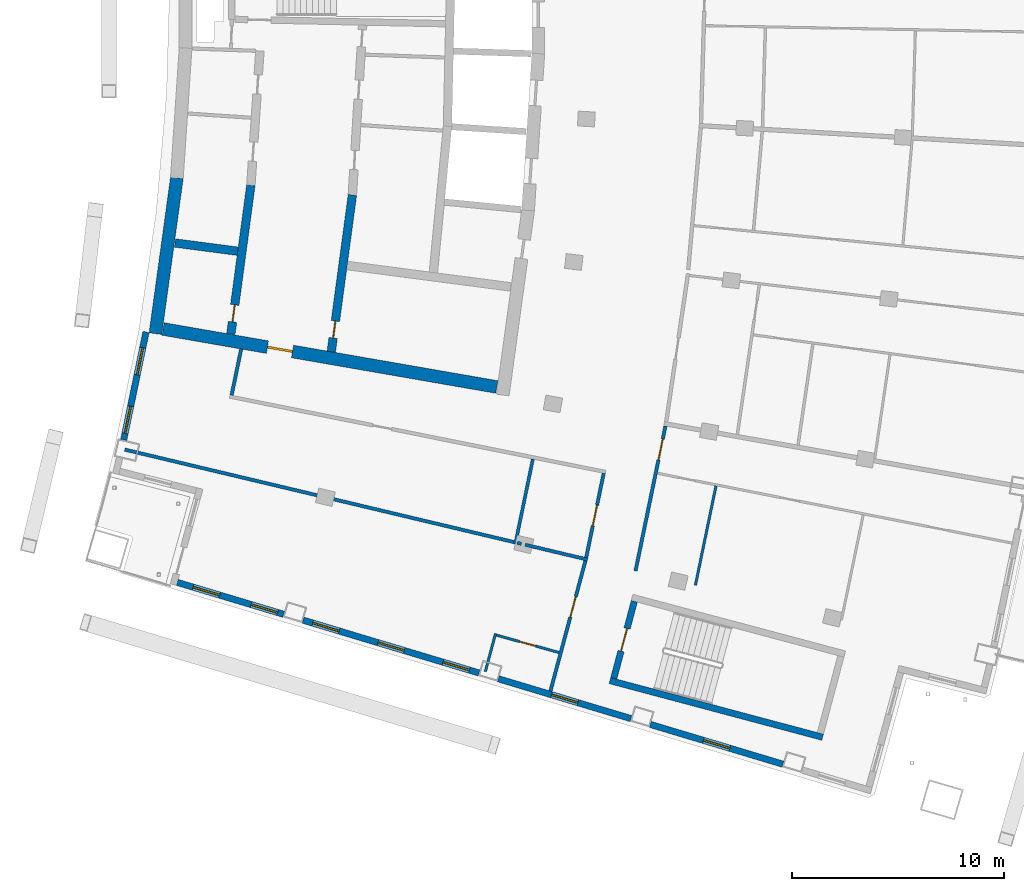
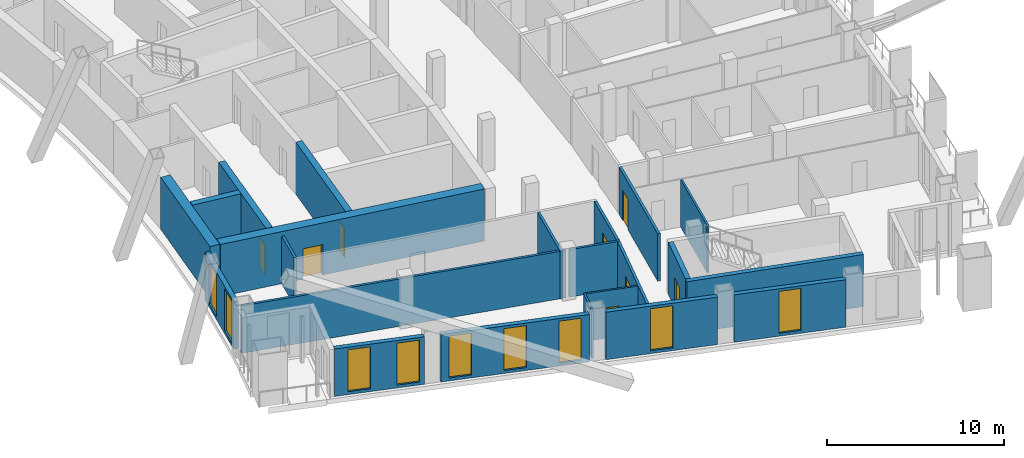
# One storey, part 9 of 19: 23 walls, 9 windows, 8 doors, 17 openings.
"""IFC4 building model written with IfcOpenShell, lengths in metres."""

from ifc_helpers import new_model, si_unit, direction, frame, frame_2d, origin, place, context, subcontext, project, spatial, rectangle, extrude, material, layer, layer_set, type_object, element, fill, save


model = new_model("IFC4")

# Units and contexts
model_context = context("Model", 3, precision=1e-05, world=origin(), true_north=direction((0.0, 1.0)))
body_context = subcontext(model_context, "Body", "Model", "MODEL_VIEW")
ifc_project = project(units=[si_unit("LENGTHUNIT", "METRE"), si_unit("AREAUNIT", "SQUARE_METRE"), si_unit("VOLUMEUNIT", "CUBIC_METRE"), si_unit("PLANEANGLEUNIT", "RADIAN"), si_unit("MASSUNIT", "GRAM", prefix="KILO")], contexts=[model_context])

# Site, building, storey
site_placement = place(None, origin())
site = spatial("IfcSite", under=ifc_project, at=site_placement, CompositionType="ELEMENT")
building_placement = place(site_placement, origin())
building = spatial("IfcBuilding", under=site, at=building_placement, Name="Alderwake Tower", CompositionType="ELEMENT")
storey_placement = place(building_placement, frame((0.0, 0.0, 200.0)))
storey = spatial("IfcBuildingStorey", under=building, at=storey_placement, Name="L49", CompositionType="ELEMENT", Elevation=200.0)

# Wall
ifc_material_1 = material(Name="Concrete C70/85", Category="concrete")
ifc_layer_1 = layer(ifc_material_1, 0.60009765625)
ifc_layer_set_1 = layer_set([ifc_layer_1], Name="Core wall outer 600 C70-85")
wall_type_1 = type_object("IfcWallType", Name="Core wall outer 600 C70-85", PredefinedType="SHEAR", material=ifc_layer_set_1)
wall_1_placement = place(storey_placement, frame((15.321533203125, 44.146240234375, 0.0), z_axis=(0.0, 0.0, 1.0), x_axis=(0.136316498814, 0.990665338119, 0.0)))
element("IfcWall", 1, at=wall_1_placement, inside=storey, type_object=wall_type_1, Name="Core wall CW.037", PredefinedType="SHEAR", context=body_context, shape_type="SweptSolid", body=[
    extrude(rectangle(XDim=7.41455078125, YDim=0.60009765625, at=frame_2d((3.707275390625, 0.0))), origin(), (0.0, 0.0, 1.0), 3.60009765625),
])

# Wall, opening, door
wall_2_placement = place(storey_placement, frame((31.386962890625, 41.63525390625, 0.0), z_axis=(0.0, 0.0, 1.0), x_axis=(-0.985223108003, 0.171275881127, 0.0)))
wall_2 = element("IfcWall", 2, at=wall_2_placement, inside=storey, type_object=wall_type_1, Name="Core wall CW.072", PredefinedType="SHEAR", context=body_context, shape_type="SweptSolid", body=[
    extrude(rectangle(XDim=15.937744140625, YDim=0.60009765625, at=frame_2d((7.96875, 0.0))), origin(), (0.0, 0.0, 1.0), 3.60009765625),
])
opening_1_placement = place(wall_2_placement, frame((9.757568359375, 0.0, 0.0)))
opening_1 = element("IfcOpeningElement", 3, at=opening_1_placement, cuts=wall_2, Name="Opening C003", PredefinedType="OPENING", context=body_context, shape_type="SweptSolid", body=[
    extrude(rectangle(XDim=1.199951171875, YDim=2.10009765625, at=frame_2d((0.60009765625, 1.050048828125))), frame((0.0, 0.31005859375, 0.0), z_axis=(0.0, -1.0, 0.0), x_axis=(1.0, 0.0, 0.0)), (0.0, 0.0, 1.0), 0.6201171875),
])
ifc_material_2 = material(Name="Steel-framed fire door leaf", Category="steel")
door_type_1 = type_object("IfcDoorType", Name="Core lobby exit door 1200 fire-rated", OperationType="SINGLE_SWING_LEFT", PredefinedType="DOOR", material=ifc_material_2)
door_1_placement = place(opening_1_placement, origin())
door_1 = element("IfcDoor", 4, at=door_1_placement, inside=storey, type_object=door_type_1, Name="Lobby door", OperationType="SINGLE_SWING_LEFT", OverallHeight=2.10009765625, OverallWidth=1.199951171875, PredefinedType="DOOR", context=body_context, shape_type="SweptSolid", body=[
    extrude(rectangle(XDim=1.199951171875, YDim=2.10009765625, at=frame_2d((0.60009765625, 1.050048828125))), frame((0.0, 0.050048828125, 0.0), z_axis=(0.0, -1.0, 0.0), x_axis=(1.0, 0.0, 0.0)), (0.0, 0.0, 1.0), 0.10009765625),
])
fill(opening_1, door_1)

ifc_material_3 = material(Name="Concrete C70/85", Category="concrete")
ifc_layer_2 = layer(ifc_material_3, 0.39990234375)
ifc_layer_set_2 = layer_set([ifc_layer_2], Name="Core wall spine 400 C70-85")
wall_type_2 = type_object("IfcWallType", Name="Core wall spine 400 C70-85", PredefinedType="SHEAR", material=ifc_layer_set_2)
wall_3_placement = place(storey_placement, frame((19.814697265625, 51.143798828125, 0.0), z_axis=(0.0, 0.0, 1.0), x_axis=(-0.133333838703, -0.991071181831, 0.0)))
wall_3 = element("IfcWall", 5, at=wall_3_placement, inside=storey, type_object=wall_type_2, Name="Core wall CW.033", PredefinedType="SHEAR", context=body_context, shape_type="SweptSolid", body=[
    extrude(rectangle(XDim=7.078857421875, YDim=0.39990234375, at=frame_2d((3.53955078125, 0.0))), origin(), (0.0, 0.0, 1.0), 3.60009765625),
])
opening_2_placement = place(wall_3_placement, frame((5.69677734375, 0.0, 0.0)))
opening_2 = element("IfcOpeningElement", 6, at=opening_2_placement, cuts=wall_3, Name="Opening C007", PredefinedType="OPENING", context=body_context, shape_type="SweptSolid", body=[
    extrude(rectangle(XDim=0.800048828125, YDim=2.0, at=frame_2d((0.39990234375, 1.0))), frame((0.0, 0.2099609375, 0.0), z_axis=(0.0, -1.0, 0.0), x_axis=(1.0, 0.0, 0.0)), (0.0, 0.0, 1.0), 0.419921875),
])
ifc_material_4 = material(Name="Painted steel leaf, rated", Category="steel")
door_type_2 = type_object("IfcDoorType", Name="Riser access door 800", OperationType="SINGLE_SWING_LEFT", PredefinedType="DOOR", material=ifc_material_4)
door_2_placement = place(opening_2_placement, origin())
door_2 = element("IfcDoor", 7, at=door_2_placement, inside=storey, type_object=door_type_2, Name="Riser access door", OperationType="SINGLE_SWING_LEFT", OverallHeight=2.0, OverallWidth=0.800048828125, PredefinedType="DOOR", context=body_context, shape_type="SweptSolid", body=[
    extrude(rectangle(XDim=0.800048828125, YDim=2.0, at=frame_2d((0.39990234375, 1.0))), frame((0.0, 0.02490234375, 0.0), z_axis=(0.0, -1.0, 0.0), x_axis=(1.0, 0.0, 0.0)), (0.0, 0.0, 1.0), 0.050048828125),
])
fill(opening_2, door_2)

wall_4_placement = place(storey_placement, frame((23.597412109375, 43.29248046875, 0.0), z_axis=(0.0, 0.0, 1.0), x_axis=(0.133499326361, 0.99104890387, 0.0)))
wall_4 = element("IfcWall", 8, at=wall_4_placement, inside=storey, type_object=wall_type_2, Name="Core wall CW.047", PredefinedType="SHEAR", context=body_context, shape_type="SweptSolid", body=[
    extrude(rectangle(XDim=7.44677734375, YDim=0.39990234375, at=frame_2d((3.723388671875, 0.0))), origin(), (0.0, 0.0, 1.0), 3.60009765625),
])
opening_3_placement = place(wall_4_placement, frame((0.65771484375, 0.0, 0.0)))
opening_3 = element("IfcOpeningElement", 9, at=opening_3_placement, cuts=wall_4, Name="Opening C014", PredefinedType="OPENING", context=body_context, shape_type="SweptSolid", body=[
    extrude(rectangle(XDim=0.800048828125, YDim=2.0, at=frame_2d((0.39990234375, 1.0))), frame((0.0, 0.2099609375, 0.0), z_axis=(0.0, -1.0, 0.0), x_axis=(1.0, 0.0, 0.0)), (0.0, 0.0, 1.0), 0.419921875),
])
door_3_placement = place(opening_3_placement, origin())
door_3 = element("IfcDoor", 10, at=door_3_placement, inside=storey, type_object=door_type_2, Name="Riser access door", OperationType="SINGLE_SWING_RIGHT", OverallHeight=2.0, OverallWidth=0.800048828125, PredefinedType="DOOR", context=body_context, shape_type="SweptSolid", body=[
    extrude(rectangle(XDim=0.800048828125, YDim=2.0, at=frame_2d((0.39990234375, 1.0))), frame((0.0, 0.02490234375, 0.0), z_axis=(0.0, -1.0, 0.0), x_axis=(1.0, 0.0, 0.0)), (0.0, 0.0, 1.0), 0.050048828125),
])
fill(opening_3, door_3)

# Walls
wall_5_placement = place(storey_placement, frame((16.24169921875, 48.412353515625, 0.0), z_axis=(0.0, 0.0, 1.0), x_axis=(0.991548658387, -0.129735338481, 0.0)))
element("IfcWall", 11, at=wall_5_placement, inside=storey, type_object=wall_type_2, Name="Core wall CW.067", PredefinedType="SHEAR", context=body_context, shape_type="SweptSolid", body=[
    extrude(rectangle(XDim=2.97705078125, YDim=0.39990234375, at=frame_2d((1.488525390625, 0.0))), origin(), (0.0, 0.0, 1.0), 3.60009765625),
])
ifc_material_5 = material(Name="Concrete C70/85", Category="concrete")
ifc_layer_3 = layer(ifc_material_5, 0.300048828125)
ifc_layer_set_3 = layer_set([ifc_layer_3], Name="Core wall stair enclosure 300 C70-85")
wall_type_3 = type_object("IfcWallType", Name="Core wall stair enclosure 300 C70-85", PredefinedType="SHEAR", material=ifc_layer_set_3)
wall_6_placement = place(storey_placement, frame((36.71142578125, 27.817626953125, 0.0), z_axis=(0.0, 0.0, 1.0), x_axis=(0.966309214305, -0.257383958996, 0.0)))
element("IfcWall", 12, at=wall_6_placement, inside=storey, type_object=wall_type_3, Name="Core wall CW.088", PredefinedType="SHEAR", context=body_context, shape_type="SweptSolid", body=[
    extrude(rectangle(XDim=10.360107421875, YDim=0.300048828125, at=frame_2d((5.18017578125, 0.0))), origin(), (0.0, 0.0, 1.0), 3.60009765625),
])

# Wall, opening, door
wall_7_placement = place(storey_placement, frame((36.89501953125, 27.923828125, 0.0), z_axis=(0.0, 0.0, 1.0), x_axis=(0.257350630826, 0.966318090907, 0.0)))
wall_7 = element("IfcWall", 13, at=wall_7_placement, inside=storey, type_object=wall_type_3, Name="Core wall CW.087", PredefinedType="SHEAR", context=body_context, shape_type="SweptSolid", body=[
    extrude(rectangle(XDim=3.75, YDim=0.300048828125, at=frame_2d((1.875, 0.0))), origin(), (0.0, 0.0, 1.0), 3.60009765625),
])
opening_4_placement = place(wall_7_placement, frame((1.324951171875, 0.0, 0.0)))
opening_4 = element("IfcOpeningElement", 14, at=opening_4_placement, cuts=wall_7, Name="Opening C065", PredefinedType="OPENING", context=body_context, shape_type="SweptSolid", body=[
    extrude(rectangle(XDim=1.10009765625, YDim=2.10009765625, at=frame_2d((0.550048828125, 1.050048828125))), frame((0.0, 0.159912109375, 0.0), z_axis=(0.0, -1.0, 0.0), x_axis=(1.0, 0.0, 0.0)), (0.0, 0.0, 1.0), 0.320068359375),
])
ifc_material_6 = material(Name="Steel-framed fire door leaf", Category="steel")
door_type_3 = type_object("IfcDoorType", Name="Core stair door 1100 fire-rated", OperationType="SINGLE_SWING_LEFT", PredefinedType="DOOR", material=ifc_material_6)
door_4_placement = place(opening_4_placement, origin())
door_4 = element("IfcDoor", 15, at=door_4_placement, inside=storey, type_object=door_type_3, Name="Stair door", OperationType="SINGLE_SWING_LEFT", OverallHeight=2.10009765625, OverallWidth=1.10009765625, PredefinedType="DOOR", context=body_context, shape_type="SweptSolid", body=[
    extrude(rectangle(XDim=1.10009765625, YDim=2.10009765625, at=frame_2d((0.550048828125, 1.050048828125))), frame((0.0, 0.02490234375, 0.0), z_axis=(0.0, -1.0, 0.0), x_axis=(1.0, 0.0, 0.0)), (0.0, 0.0, 1.0), 0.050048828125),
])
fill(opening_4, door_4)

# Walls
ifc_material_7 = material(Name="Gypsum board on metal studs, rated")
ifc_layer_4 = layer(ifc_material_7, 0.159912109375)
ifc_layer_set_4 = layer_set([ifc_layer_4], Name="Corridor wall 160")
wall_type_4 = type_object("IfcWallType", Name="Corridor wall 160", PredefinedType="PARTITIONING", material=ifc_layer_set_4)
wall_8_placement = place(storey_placement, frame((13.884033203125, 38.68798828125, 0.0), z_axis=(0.0, 0.0, 1.0), x_axis=(0.972897690171, -0.231235993004, 0.0)))
element("IfcWall", 16, at=wall_8_placement, inside=storey, type_object=wall_type_4, Name="WL/L49/W08", PredefinedType="PARTITIONING", context=body_context, shape_type="SweptSolid", body=[
    extrude(rectangle(XDim=18.8271484375, YDim=0.159912109375, at=frame_2d((9.41357421875, 0.0))), origin(), (0.0, 0.0, 1.0), 3.280029296875),
])
wall_9_placement = place(storey_placement, frame((19.35888671875, 43.430908203125, 0.0), z_axis=(0.0, 0.0, 1.0), x_axis=(-0.202554916658, -0.979270905183, 0.0)))
element("IfcWall", 17, at=wall_9_placement, inside=storey, type_object=wall_type_4, Name="WL/L49/W11", PredefinedType="PARTITIONING", context=body_context, shape_type="SweptSolid", body=[
    extrude(rectangle(XDim=2.229736328125, YDim=0.159912109375, at=frame_2d((1.11474609375, 0.0))), origin(), (0.0, 0.0, 1.0), 3.280029296875),
])
wall_10_placement = place(storey_placement, frame((32.343994140625, 34.300048828125, 0.0), z_axis=(0.0, 0.0, 1.0), x_axis=(0.974391195695, -0.224859506699, 0.0)))
element("IfcWall", 18, at=wall_10_placement, inside=storey, type_object=wall_type_4, Name="WL/L49/W13", PredefinedType="PARTITIONING", context=body_context, shape_type="SweptSolid", body=[
    extrude(rectangle(XDim=0.205322265625, YDim=0.159912109375, at=frame_2d((0.1025390625, 0.0))), origin(), (0.0, 0.0, 1.0), 3.280029296875),
])
wall_11_placement = place(storey_placement, frame((32.725341796875, 34.210205078125, 0.0), z_axis=(0.0, 0.0, 1.0), x_axis=(0.972838360224, -0.231485474442, 0.0)))
element("IfcWall", 19, at=wall_11_placement, inside=storey, type_object=wall_type_4, Name="WL/L49/W14", PredefinedType="PARTITIONING", context=body_context, shape_type="SweptSolid", body=[
    extrude(rectangle(XDim=3.01416015625, YDim=0.159912109375, at=frame_2d((1.507080078125, 0.0))), origin(), (0.0, 0.0, 1.0), 3.280029296875),
])

# Wall, opening, door
wall_12_placement = place(storey_placement, frame((33.912109375, 27.321044921875, 0.0), z_axis=(0.0, 0.0, 1.0), x_axis=(0.259370874835, 0.965777794986, 0.0)))
wall_12 = element("IfcWall", 20, at=wall_12_placement, inside=storey, type_object=wall_type_4, Name="WL/L49/W16", PredefinedType="PARTITIONING", context=body_context, shape_type="SweptSolid", body=[
    extrude(rectangle(XDim=6.349853515625, YDim=0.159912109375, at=frame_2d((3.1748046875, 0.0))), origin(), (0.0, 0.0, 1.0), 3.280029296875),
])
opening_5_placement = place(wall_12_placement, frame((3.603515625, 0.0, 0.0)))
opening_5 = element("IfcOpeningElement", 21, at=opening_5_placement, cuts=wall_12, Name="Opening R14-U09.1", PredefinedType="OPENING", context=body_context, shape_type="SweptSolid", body=[
    extrude(rectangle(XDim=1.0, YDim=2.10009765625, at=frame_2d((0.5, 1.050048828125))), frame((0.0, 0.08984375, 0.0), z_axis=(0.0, -1.0, 0.0), x_axis=(1.0, 0.0, 0.0)), (0.0, 0.0, 1.0), 0.179931640625),
])
ifc_material_8 = material(Name="Solid timber leaf in steel frame", Category="steel")
door_type_4 = type_object("IfcDoorType", Name="Flat entrance door 1000 fire-rated", OperationType="SINGLE_SWING_LEFT", PredefinedType="DOOR", material=ifc_material_8)
door_5_placement = place(opening_5_placement, origin())
door_5 = element("IfcDoor", 22, at=door_5_placement, inside=storey, type_object=door_type_4, Name="DR/L49/U09.1", OperationType="SINGLE_SWING_LEFT", OverallHeight=2.10009765625, OverallWidth=1.0, PredefinedType="DOOR", context=body_context, shape_type="SweptSolid", body=[
    extrude(rectangle(XDim=1.0, YDim=2.10009765625, at=frame_2d((0.5, 1.050048828125))), frame((0.0, 0.02490234375, 0.0), z_axis=(0.0, -1.0, 0.0), x_axis=(1.0, 0.0, 0.0)), (0.0, 0.0, 1.0), 0.050048828125),
])
fill(opening_5, door_5)

wall_13_placement = place(storey_placement, frame((35.59619140625, 33.609375, 0.0), z_axis=(0.0, 0.0, 1.0), x_axis=(0.203245920818, 0.979127721838, 0.0)))
wall_13 = element("IfcWall", 23, at=wall_13_placement, inside=storey, type_object=wall_type_4, Name="WL/L49/W18", PredefinedType="PARTITIONING", context=body_context, shape_type="SweptSolid", body=[
    extrude(rectangle(XDim=4.046875, YDim=0.159912109375, at=frame_2d((2.0234375, 0.0))), origin(), (0.0, 0.0, 1.0), 3.280029296875),
])
opening_6_placement = place(wall_13_placement, frame((1.5234375, 0.0, 0.0)))
opening_6 = element("IfcOpeningElement", 24, at=opening_6_placement, cuts=wall_13, Name="Opening R14-SBS2", PredefinedType="OPENING", context=body_context, shape_type="SweptSolid", body=[
    extrude(rectangle(XDim=1.0, YDim=2.10009765625, at=frame_2d((0.5, 1.050048828125))), frame((0.0, 0.08984375, 0.0), z_axis=(0.0, -1.0, 0.0), x_axis=(1.0, 0.0, 0.0)), (0.0, 0.0, 1.0), 0.179931640625),
])
ifc_material_9 = material(Name="Steel-framed fire door leaf", Category="steel")
door_type_5 = type_object("IfcDoorType", Name="Plant room door 1000 fire-rated", OperationType="SINGLE_SWING_LEFT", PredefinedType="DOOR", material=ifc_material_9)
door_6_placement = place(opening_6_placement, origin())
door_6 = element("IfcDoor", 25, at=door_6_placement, inside=storey, type_object=door_type_5, Name="DR/L49/SBS2", OperationType="SINGLE_SWING_LEFT", OverallHeight=2.10009765625, OverallWidth=1.0, PredefinedType="DOOR", context=body_context, shape_type="SweptSolid", body=[
    extrude(rectangle(XDim=1.0, YDim=2.10009765625, at=frame_2d((0.5, 1.050048828125))), frame((0.0, 0.02490234375, 0.0), z_axis=(0.0, -1.0, 0.0), x_axis=(1.0, 0.0, 0.0)), (0.0, 0.0, 1.0), 0.050048828125),
])
fill(opening_6, door_6)

wall_14_placement = place(storey_placement, frame((39.32763671875, 39.799072265625, 0.0), z_axis=(0.0, 0.0, 1.0), x_axis=(-0.202466556983, -0.979289177569, 0.0)))
wall_14 = element("IfcWall", 26, at=wall_14_placement, inside=storey, type_object=wall_type_4, Name="WL/L49/W20", PredefinedType="PARTITIONING", context=body_context, shape_type="SweptSolid", body=[
    extrude(rectangle(XDim=6.96728515625, YDim=0.159912109375, at=frame_2d((3.483642578125, 0.0))), origin(), (0.0, 0.0, 1.0), 3.280029296875),
])
opening_7_placement = place(wall_14_placement, frame((0.62744140625, 0.0, 0.0)))
opening_7 = element("IfcOpeningElement", 27, at=opening_7_placement, cuts=wall_14, Name="Opening R14-U03.2", PredefinedType="OPENING", context=body_context, shape_type="SweptSolid", body=[
    extrude(rectangle(XDim=1.0, YDim=2.10009765625, at=frame_2d((0.5, 1.050048828125))), frame((0.0, 0.08984375, 0.0), z_axis=(0.0, -1.0, 0.0), x_axis=(1.0, 0.0, 0.0)), (0.0, 0.0, 1.0), 0.179931640625),
])
door_7_placement = place(opening_7_placement, origin())
door_7 = element("IfcDoor", 28, at=door_7_placement, inside=storey, type_object=door_type_4, Name="DR/L49/U03.2", OperationType="SINGLE_SWING_LEFT", OverallHeight=2.10009765625, OverallWidth=1.0, PredefinedType="DOOR", context=body_context, shape_type="SweptSolid", body=[
    extrude(rectangle(XDim=1.0, YDim=2.10009765625, at=frame_2d((0.5, 1.050048828125))), frame((0.0, 0.02490234375, 0.0), z_axis=(0.0, -1.0, 0.0), x_axis=(1.0, 0.0, 0.0)), (0.0, 0.0, 1.0), 0.050048828125),
])
fill(opening_7, door_7)

# Wall, openings, windows
ifc_material_10 = material(Name="Precast concrete C50/60 spandrel panel", Category="concrete")
ifc_layer_5 = layer(ifc_material_10, 0.300048828125)
ifc_layer_set_5 = layer_set([ifc_layer_5], Name="External wall EW1 Precast concrete C50/60 spandrel")
wall_type_5 = type_object("IfcWallType", Name="External wall EW1 Precast concrete C50/60 spandrel", PredefinedType="SOLIDWALL", material=ifc_layer_set_5)
wall_15_placement = place(storey_placement, frame((14.878173828125, 44.223388671875, 0.0), z_axis=(0.0, 0.0, 1.0), x_axis=(-0.202730149235, -0.979234643276, 0.0)))
wall_15 = element("IfcWall", 29, at=wall_15_placement, inside=storey, type_object=wall_type_5, Name="External wall 32", PredefinedType="SOLIDWALL", context=body_context, shape_type="SweptSolid", body=[
    extrude(rectangle(XDim=5.185546875, YDim=0.300048828125, at=frame_2d((2.5927734375, 0.0))), origin(), (0.0, 0.0, 1.0), 3.280029296875),
])
opening_8_placement = place(wall_15_placement, frame((0.75634765625, 0.0, 0.199951171875)))
opening_8 = element("IfcOpeningElement", 30, at=opening_8_placement, cuts=wall_15, Name="Opening W1", PredefinedType="OPENING", context=body_context, shape_type="SweptSolid", body=[
    extrude(rectangle(XDim=1.300048828125, YDim=2.89990234375, at=frame_2d((0.64990234375, 1.449951171875))), frame((0.0, 0.159912109375, 0.0), z_axis=(0.0, -1.0, 0.0), x_axis=(1.0, 0.0, 0.0)), (0.0, 0.0, 1.0), 0.320068359375),
])
opening_9_placement = place(wall_15_placement, frame((3.569091796875, 0.0, 0.199951171875)))
opening_9 = element("IfcOpeningElement", 31, at=opening_9_placement, cuts=wall_15, Name="Opening W1", PredefinedType="OPENING", context=body_context, shape_type="SweptSolid", body=[
    extrude(rectangle(XDim=1.300048828125, YDim=2.89990234375, at=frame_2d((0.64990234375, 1.449951171875))), frame((0.0, 0.159912109375, 0.0), z_axis=(0.0, -1.0, 0.0), x_axis=(1.0, 0.0, 0.0)), (0.0, 0.0, 1.0), 0.320068359375),
])
ifc_material_11 = material(Name="Bronze tinted glass in aluminium frame", Category="aluminium")
window_type = type_object("IfcWindowType", Name="Window W1 tall fixed and vent", PartitioningType="DOUBLE_PANEL_VERTICAL", PredefinedType="WINDOW", material=ifc_material_11)
window_1_placement = place(opening_8_placement, origin())
window_1 = element("IfcWindow", 32, at=window_1_placement, inside=storey, type_object=window_type, Name="Window W1 tall fixed and vent", OverallHeight=2.89990234375, OverallWidth=1.300048828125, PartitioningType="DOUBLE_PANEL_VERTICAL", PredefinedType="WINDOW", context=body_context, shape_type="SweptSolid", body=[
    extrude(rectangle(XDim=1.300048828125, YDim=2.89990234375, at=frame_2d((0.64990234375, 1.449951171875))), frame((0.0, 0.030029296875, 0.0), z_axis=(0.0, -1.0, 0.0), x_axis=(1.0, 0.0, 0.0)), (0.0, 0.0, 1.0), 0.06005859375),
])
fill(opening_8, window_1)
window_2_placement = place(opening_9_placement, origin())
window_2 = element("IfcWindow", 33, at=window_2_placement, inside=storey, type_object=window_type, Name="Window W1 tall fixed and vent", OverallHeight=2.89990234375, OverallWidth=1.300048828125, PartitioningType="DOUBLE_PANEL_VERTICAL", PredefinedType="WINDOW", context=body_context, shape_type="SweptSolid", body=[
    extrude(rectangle(XDim=1.300048828125, YDim=2.89990234375, at=frame_2d((0.64990234375, 1.449951171875))), frame((0.0, 0.030029296875, 0.0), z_axis=(0.0, -1.0, 0.0), x_axis=(1.0, 0.0, 0.0)), (0.0, 0.0, 1.0), 0.06005859375),
])
fill(opening_9, window_2)

ifc_material_12 = material(Name="Bronze metal cladding on lightweight framing")
ifc_layer_6 = layer(ifc_material_12, 0.300048828125)
ifc_layer_set_6 = layer_set([ifc_layer_6], Name="External wall EW2 bronze metal cladding")
wall_type_6 = type_object("IfcWallType", Name="External wall EW2 bronze metal cladding", PredefinedType="SOLIDWALL", material=ifc_layer_set_6)
wall_16_placement = place(storey_placement, frame((16.352783203125, 32.4375, 0.0), z_axis=(0.0, 0.0, 1.0), x_axis=(0.95777225046, -0.287527939944, 0.0)))
wall_16 = element("IfcWall", 34, at=wall_16_placement, inside=storey, type_object=wall_type_6, Name="External wall 4", PredefinedType="SOLIDWALL", context=body_context, shape_type="SweptSolid", body=[
    extrude(rectangle(XDim=5.224609375, YDim=0.300048828125, at=frame_2d((2.6123046875, 0.0))), origin(), (0.0, 0.0, 1.0), 3.280029296875),
])
opening_10_placement = place(wall_16_placement, frame((0.775390625, 0.0, 0.199951171875)))
opening_10 = element("IfcOpeningElement", 35, at=opening_10_placement, cuts=wall_16, Name="Opening W1", PredefinedType="OPENING", context=body_context, shape_type="SweptSolid", body=[
    extrude(rectangle(XDim=1.300048828125, YDim=2.89990234375, at=frame_2d((0.64990234375, 1.449951171875))), frame((0.0, 0.159912109375, 0.0), z_axis=(0.0, -1.0, 0.0), x_axis=(1.0, 0.0, 0.0)), (0.0, 0.0, 1.0), 0.320068359375),
])
opening_11_placement = place(wall_16_placement, frame((3.626220703125, 0.0, 0.199951171875)))
opening_11 = element("IfcOpeningElement", 36, at=opening_11_placement, cuts=wall_16, Name="Opening W1", PredefinedType="OPENING", context=body_context, shape_type="SweptSolid", body=[
    extrude(rectangle(XDim=1.300048828125, YDim=2.89990234375, at=frame_2d((0.64990234375, 1.449951171875))), frame((0.0, 0.159912109375, 0.0), z_axis=(0.0, -1.0, 0.0), x_axis=(1.0, 0.0, 0.0)), (0.0, 0.0, 1.0), 0.320068359375),
])
window_3_placement = place(opening_10_placement, origin())
window_3 = element("IfcWindow", 37, at=window_3_placement, inside=storey, type_object=window_type, Name="Window W1 tall fixed and vent", OverallHeight=2.89990234375, OverallWidth=1.300048828125, PartitioningType="DOUBLE_PANEL_VERTICAL", PredefinedType="WINDOW", context=body_context, shape_type="SweptSolid", body=[
    extrude(rectangle(XDim=1.300048828125, YDim=2.89990234375, at=frame_2d((0.64990234375, 1.449951171875))), frame((0.0, 0.030029296875, 0.0), z_axis=(0.0, -1.0, 0.0), x_axis=(1.0, 0.0, 0.0)), (0.0, 0.0, 1.0), 0.06005859375),
])
fill(opening_10, window_3)
window_4_placement = place(opening_11_placement, origin())
window_4 = element("IfcWindow", 38, at=window_4_placement, inside=storey, type_object=window_type, Name="Window W1 tall fixed and vent", OverallHeight=2.89990234375, OverallWidth=1.300048828125, PartitioningType="DOUBLE_PANEL_VERTICAL", PredefinedType="WINDOW", context=body_context, shape_type="SweptSolid", body=[
    extrude(rectangle(XDim=1.300048828125, YDim=2.89990234375, at=frame_2d((0.64990234375, 1.449951171875))), frame((0.0, 0.030029296875, 0.0), z_axis=(0.0, -1.0, 0.0), x_axis=(1.0, 0.0, 0.0)), (0.0, 0.0, 1.0), 0.06005859375),
])
fill(opening_11, window_4)

wall_17_placement = place(storey_placement, frame((22.270751953125, 30.660888671875, 0.0), z_axis=(0.0, 0.0, 1.0), x_axis=(0.957759421932, -0.287570669054, 0.0)))
wall_17 = element("IfcWall", 39, at=wall_17_placement, inside=storey, type_object=wall_type_6, Name="External wall 5", PredefinedType="SOLIDWALL", context=body_context, shape_type="SweptSolid", body=[
    extrude(rectangle(XDim=8.64599609375, YDim=0.300048828125, at=frame_2d((4.322998046875, 0.0))), origin(), (0.0, 0.0, 1.0), 3.280029296875),
])
opening_12_placement = place(wall_17_placement, frame((0.472900390625, 0.0, 0.199951171875)))
opening_12 = element("IfcOpeningElement", 40, at=opening_12_placement, cuts=wall_17, Name="Opening W1", PredefinedType="OPENING", context=body_context, shape_type="SweptSolid", body=[
    extrude(rectangle(XDim=1.300048828125, YDim=2.89990234375, at=frame_2d((0.64990234375, 1.449951171875))), frame((0.0, 0.159912109375, 0.0), z_axis=(0.0, -1.0, 0.0), x_axis=(1.0, 0.0, 0.0)), (0.0, 0.0, 1.0), 0.320068359375),
])
opening_13_placement = place(wall_17_placement, frame((3.673095703125, 0.0, 0.199951171875)))
opening_13 = element("IfcOpeningElement", 41, at=opening_13_placement, cuts=wall_17, Name="Opening W1", PredefinedType="OPENING", context=body_context, shape_type="SweptSolid", body=[
    extrude(rectangle(XDim=1.300048828125, YDim=2.89990234375, at=frame_2d((0.64990234375, 1.449951171875))), frame((0.0, 0.159912109375, 0.0), z_axis=(0.0, -1.0, 0.0), x_axis=(1.0, 0.0, 0.0)), (0.0, 0.0, 1.0), 0.320068359375),
])
opening_14_placement = place(wall_17_placement, frame((6.873046875, 0.0, 0.199951171875)))
opening_14 = element("IfcOpeningElement", 42, at=opening_14_placement, cuts=wall_17, Name="Opening W1", PredefinedType="OPENING", context=body_context, shape_type="SweptSolid", body=[
    extrude(rectangle(XDim=1.300048828125, YDim=2.89990234375, at=frame_2d((0.64990234375, 1.449951171875))), frame((0.0, 0.159912109375, 0.0), z_axis=(0.0, -1.0, 0.0), x_axis=(1.0, 0.0, 0.0)), (0.0, 0.0, 1.0), 0.320068359375),
])
window_5_placement = place(opening_12_placement, origin())
window_5 = element("IfcWindow", 43, at=window_5_placement, inside=storey, type_object=window_type, Name="Window W1 tall fixed and vent", OverallHeight=2.89990234375, OverallWidth=1.300048828125, PartitioningType="DOUBLE_PANEL_VERTICAL", PredefinedType="WINDOW", context=body_context, shape_type="SweptSolid", body=[
    extrude(rectangle(XDim=1.300048828125, YDim=2.89990234375, at=frame_2d((0.64990234375, 1.449951171875))), frame((0.0, 0.030029296875, 0.0), z_axis=(0.0, -1.0, 0.0), x_axis=(1.0, 0.0, 0.0)), (0.0, 0.0, 1.0), 0.06005859375),
])
fill(opening_12, window_5)
window_6_placement = place(opening_13_placement, origin())
window_6 = element("IfcWindow", 44, at=window_6_placement, inside=storey, type_object=window_type, Name="Window W1 tall fixed and vent", OverallHeight=2.89990234375, OverallWidth=1.300048828125, PartitioningType="DOUBLE_PANEL_VERTICAL", PredefinedType="WINDOW", context=body_context, shape_type="SweptSolid", body=[
    extrude(rectangle(XDim=1.300048828125, YDim=2.89990234375, at=frame_2d((0.64990234375, 1.449951171875))), frame((0.0, 0.030029296875, 0.0), z_axis=(0.0, -1.0, 0.0), x_axis=(1.0, 0.0, 0.0)), (0.0, 0.0, 1.0), 0.06005859375),
])
fill(opening_13, window_6)
window_7_placement = place(opening_14_placement, origin())
window_7 = element("IfcWindow", 45, at=window_7_placement, inside=storey, type_object=window_type, Name="Window W1 tall fixed and vent", OverallHeight=2.89990234375, OverallWidth=1.300048828125, PartitioningType="DOUBLE_PANEL_VERTICAL", PredefinedType="WINDOW", context=body_context, shape_type="SweptSolid", body=[
    extrude(rectangle(XDim=1.300048828125, YDim=2.89990234375, at=frame_2d((0.64990234375, 1.449951171875))), frame((0.0, 0.030029296875, 0.0), z_axis=(0.0, -1.0, 0.0), x_axis=(1.0, 0.0, 0.0)), (0.0, 0.0, 1.0), 0.06005859375),
])
fill(opening_14, window_7)

# Wall, opening, window
wall_18_placement = place(storey_placement, frame((31.465087890625, 27.900390625, 0.0), z_axis=(0.0, 0.0, 1.0), x_axis=(0.957767459143, -0.287543899616, 0.0)))
wall_18 = element("IfcWall", 46, at=wall_18_placement, inside=storey, type_object=wall_type_6, Name="External wall 6", PredefinedType="SOLIDWALL", context=body_context, shape_type="SweptSolid", body=[
    extrude(rectangle(XDim=6.51318359375, YDim=0.300048828125, at=frame_2d((3.256591796875, 0.0))), origin(), (0.0, 0.0, 1.0), 3.280029296875),
])
opening_15_placement = place(wall_18_placement, frame((2.6064453125, 0.0, 0.199951171875)))
opening_15 = element("IfcOpeningElement", 47, at=opening_15_placement, cuts=wall_18, Name="Opening W1", PredefinedType="OPENING", context=body_context, shape_type="SweptSolid", body=[
    extrude(rectangle(XDim=1.300048828125, YDim=2.89990234375, at=frame_2d((0.64990234375, 1.449951171875))), frame((0.0, 0.159912109375, 0.0), z_axis=(0.0, -1.0, 0.0), x_axis=(1.0, 0.0, 0.0)), (0.0, 0.0, 1.0), 0.320068359375),
])
window_8_placement = place(opening_15_placement, origin())
window_8 = element("IfcWindow", 48, at=window_8_placement, inside=storey, type_object=window_type, Name="Window W1 tall fixed and vent", OverallHeight=2.89990234375, OverallWidth=1.300048828125, PartitioningType="DOUBLE_PANEL_VERTICAL", PredefinedType="WINDOW", context=body_context, shape_type="SweptSolid", body=[
    extrude(rectangle(XDim=1.300048828125, YDim=2.89990234375, at=frame_2d((0.64990234375, 1.449951171875))), frame((0.0, 0.030029296875, 0.0), z_axis=(0.0, -1.0, 0.0), x_axis=(1.0, 0.0, 0.0)), (0.0, 0.0, 1.0), 0.06005859375),
])
fill(opening_15, window_8)

wall_19_placement = place(storey_placement, frame((38.61669921875, 25.75341796875, 0.0), z_axis=(0.0, 0.0, 1.0), x_axis=(0.957764359699, -0.287554223219, 0.0)))
wall_19 = element("IfcWall", 49, at=wall_19_placement, inside=storey, type_object=wall_type_6, Name="External wall 7", PredefinedType="SOLIDWALL", context=body_context, shape_type="SweptSolid", body=[
    extrude(rectangle(XDim=6.512939453125, YDim=0.300048828125, at=frame_2d((3.25634765625, 0.0))), origin(), (0.0, 0.0, 1.0), 3.280029296875),
])
opening_16_placement = place(wall_19_placement, frame((2.6064453125, 0.0, 0.199951171875)))
opening_16 = element("IfcOpeningElement", 50, at=opening_16_placement, cuts=wall_19, Name="Opening W1", PredefinedType="OPENING", context=body_context, shape_type="SweptSolid", body=[
    extrude(rectangle(XDim=1.300048828125, YDim=2.89990234375, at=frame_2d((0.64990234375, 1.449951171875))), frame((0.0, 0.159912109375, 0.0), z_axis=(0.0, -1.0, 0.0), x_axis=(1.0, 0.0, 0.0)), (0.0, 0.0, 1.0), 0.320068359375),
])
window_9_placement = place(opening_16_placement, origin())
window_9 = element("IfcWindow", 51, at=window_9_placement, inside=storey, type_object=window_type, Name="Window W1 tall fixed and vent", OverallHeight=2.89990234375, OverallWidth=1.300048828125, PartitioningType="DOUBLE_PANEL_VERTICAL", PredefinedType="WINDOW", context=body_context, shape_type="SweptSolid", body=[
    extrude(rectangle(XDim=1.300048828125, YDim=2.89990234375, at=frame_2d((0.64990234375, 1.449951171875))), frame((0.0, 0.030029296875, 0.0), z_axis=(0.0, -1.0, 0.0), x_axis=(1.0, 0.0, 0.0)), (0.0, 0.0, 1.0), 0.06005859375),
])
fill(opening_16, window_9)

# Walls
ifc_material_13 = material(Name="Gypsum shaft wall system, rated")
ifc_layer_7 = layer(ifc_material_13, 0.14990234375)
ifc_layer_set_7 = layer_set([ifc_layer_7], Name="Riser and shaft wall 150")
wall_type_7 = type_object("IfcWallType", Name="Riser and shaft wall 150", PredefinedType="PARTITIONING", material=ifc_layer_set_7)
wall_20_placement = place(storey_placement, frame((32.2578125, 34.23876953125, 0.0), z_axis=(0.0, 0.0, 1.0), x_axis=(0.202579923059, 0.979265732462, 0.0)))
element("IfcWall", 52, at=wall_20_placement, inside=storey, type_object=wall_type_7, Name="WL/L49/W07", PredefinedType="PARTITIONING", context=body_context, shape_type="SweptSolid", body=[
    extrude(rectangle(XDim=4.086669921875, YDim=0.14990234375, at=frame_2d((2.04345703125, 0.0))), origin(), (0.0, 0.0, 1.0), 3.280029296875),
])
ifc_material_14 = material(Name="Moisture resistant gypsum board on metal studs")
ifc_layer_8 = layer(ifc_material_14, 0.1201171875)
ifc_layer_set_8 = layer_set([ifc_layer_8], Name="Wet room partition 120")
wall_type_8 = type_object("IfcWallType", Name="Wet room partition 120", PredefinedType="PARTITIONING", material=ifc_layer_set_8)
wall_21_placement = place(storey_placement, frame((31.32958984375, 30.031005859375, 0.0), z_axis=(0.0, 0.0, 1.0), x_axis=(-0.259368447521, -0.965778446866, 0.0)))
element("IfcWall", 53, at=wall_21_placement, inside=storey, type_object=wall_type_8, Name="WL/L49/W29", PredefinedType="PARTITIONING", context=body_context, shape_type="SweptSolid", body=[
    extrude(rectangle(XDim=1.8525390625, YDim=0.1201171875, at=frame_2d((0.92626953125, 0.0))), origin(), (0.0, 0.0, 1.0), 3.280029296875),
])

# Wall, opening, door
wall_22_placement = place(storey_placement, frame((34.31787109375, 29.136474609375, 0.0), z_axis=(0.0, 0.0, 1.0), x_axis=(-0.963351881246, 0.268240848677, 0.0)))
wall_22 = element("IfcWall", 54, at=wall_22_placement, inside=storey, type_object=wall_type_8, Name="WL/L49/W31", PredefinedType="PARTITIONING", context=body_context, shape_type="SweptSolid", body=[
    extrude(rectangle(XDim=3.05810546875, YDim=0.1201171875, at=frame_2d((1.529052734375, 0.0))), origin(), (0.0, 0.0, 1.0), 3.280029296875),
])
opening_17_placement = place(wall_22_placement, frame((1.129150390625, 0.0, 0.0)))
opening_17 = element("IfcOpeningElement", 55, at=opening_17_placement, cuts=wall_22, Name="Opening R14-U09.2", PredefinedType="OPENING", context=body_context, shape_type="SweptSolid", body=[
    extrude(rectangle(XDim=0.800048828125, YDim=2.10009765625, at=frame_2d((0.39990234375, 1.050048828125))), frame((0.0, 0.070068359375, 0.0), z_axis=(0.0, -1.0, 0.0), x_axis=(1.0, 0.0, 0.0)), (0.0, 0.0, 1.0), 0.14013671875),
])
ifc_material_15 = material(Name="Painted timber leaf", Category="wood")
door_type_6 = type_object("IfcDoorType", Name="Bathroom door 800", OperationType="SINGLE_SWING_LEFT", PredefinedType="DOOR", material=ifc_material_15)
door_8_placement = place(opening_17_placement, origin())
door_8 = element("IfcDoor", 56, at=door_8_placement, inside=storey, type_object=door_type_6, Name="DR/L49/U09.2", OperationType="SINGLE_SWING_LEFT", OverallHeight=2.10009765625, OverallWidth=0.800048828125, PredefinedType="DOOR", context=body_context, shape_type="SweptSolid", body=[
    extrude(rectangle(XDim=0.800048828125, YDim=2.10009765625, at=frame_2d((0.39990234375, 1.050048828125))), frame((0.0, 0.02490234375, 0.0), z_axis=(0.0, -1.0, 0.0), x_axis=(1.0, 0.0, 0.0)), (0.0, 0.0, 1.0), 0.050048828125),
])
fill(opening_17, door_8)

# Wall
wall_23_placement = place(storey_placement, frame((40.737060546875, 32.303955078125, 0.0), z_axis=(0.0, 0.0, 1.0), x_axis=(0.202548156077, 0.979272303535, 0.0)))
element("IfcWall", 57, at=wall_23_placement, inside=storey, type_object=wall_type_8, Name="WL/L49/W32", PredefinedType="PARTITIONING", context=body_context, shape_type="SweptSolid", body=[
    extrude(rectangle(XDim=4.778076171875, YDim=0.1201171875, at=frame_2d((2.38916015625, 0.0))), origin(), (0.0, 0.0, 1.0), 3.280029296875),
])

save(model, "model.ifc")
